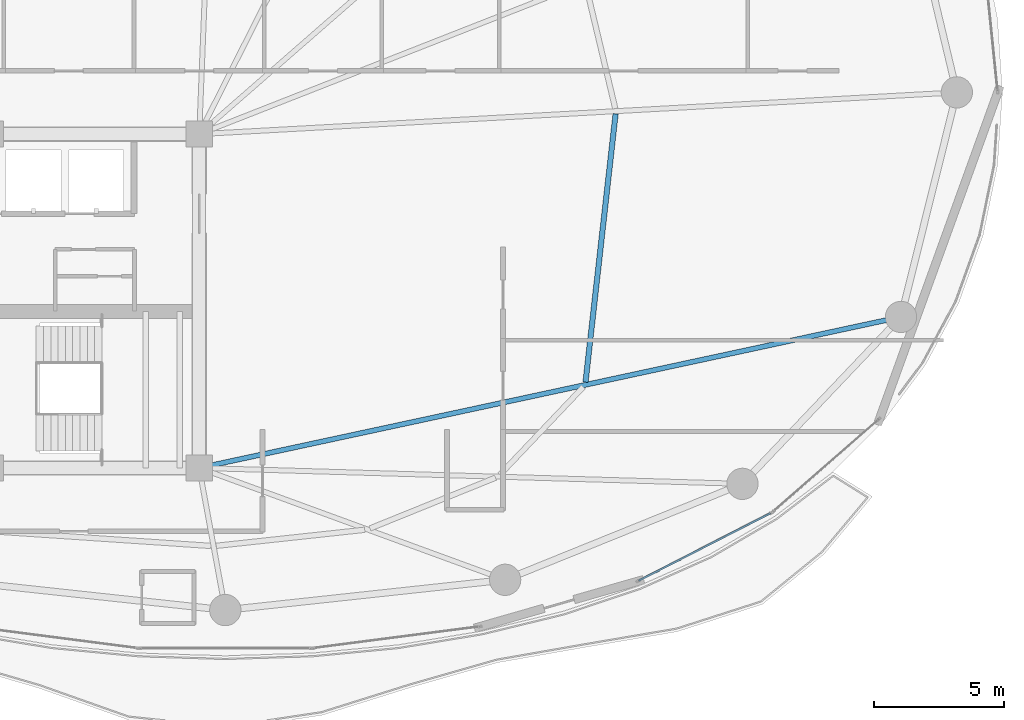
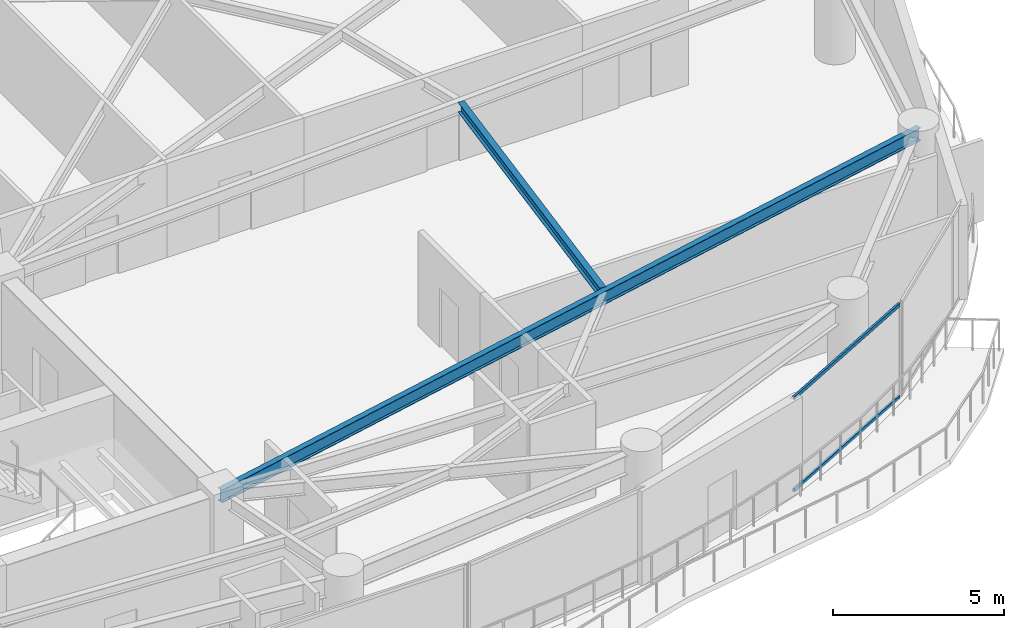
# One storey, part 12 of 30: 2 beams, 2 members, 1 element without a shape of its own.
"""IFC4 building model written with IfcOpenShell, lengths in metres."""

import ifcopenshell
import ifcopenshell.guid

model = None  # the IFC model being written
_history = None  # IfcOwnerHistory: only IFC2X3 demands one
_inside = {}  # id of a spatial element -> (the spatial element, [elements in it])
_under = {}  # id of a project, library or spatial element -> (it, [spatial elements below it])
_declared = {}  # id of a project -> (the project, [libraries it declares])
_typed = {}  # id of a type object -> (the type object, [elements of that type])
_made_of = {}  # id of a material, layer set ... -> (it, [elements and type objects made of it])


def new_model(schema):
    """Start an empty IFC model of exactly this schema.

    Asked for "IFC4X3", IfcOpenShell would pick the latest addendum, in which some entities
    have other attributes; the version numbers below select the first issue.
    IFC2X3 requires an IfcOwnerHistory on every rooted entity: one is made here for all.
    """
    global model, _history
    if schema == "IFC4X3":
        model = ifcopenshell.file(schema_version=(4, 3, 0, 0))
    else:
        model = ifcopenshell.file(schema=schema)
    _inside.clear()
    _under.clear()
    _declared.clear()
    _typed.clear()
    _made_of.clear()
    _history = None
    if model.schema == "IFC2X3":
        org = make("IfcOrganization", Name="unknown")
        user = make(
            "IfcPersonAndOrganization",
            ThePerson=make("IfcPerson", FamilyName="unknown"),
            TheOrganization=org,
        )
        app = make(
            "IfcApplication",
            ApplicationDeveloper=org,
            Version="unknown",
            ApplicationFullName="unknown",
            ApplicationIdentifier="unknown",
        )
        _history = make(
            "IfcOwnerHistory",
            OwningUser=user,
            OwningApplication=app,
            ChangeAction="ADDED",
            CreationDate=0,
        )
    return model


def make(cls, **values):
    """One entity of the class cls with the attributes given. An attribute that is None is left unset."""
    return model.create_entity(
        cls, **{name: value for name, value in values.items() if value is not None}
    )


def rooted(cls, **values):
    """An entity with a GlobalId (a new one), such as an element, a storey or a relation."""
    return make(cls, GlobalId=ifcopenshell.guid.new(), OwnerHistory=_history, **values)


def si_unit(unit_type, name, prefix=None):
    """IfcSIUnit, for example si_unit("LENGTHUNIT", "METRE", prefix="MILLI")."""
    return make("IfcSIUnit", UnitType=unit_type, Prefix=prefix, Name=name)


def assignment(units):
    """IfcUnitAssignment: the units of a project."""
    return None if units is None else make("IfcUnitAssignment", Units=units)


def point(xyz):
    """IfcCartesianPoint."""
    return None if xyz is None else make("IfcCartesianPoint", Coordinates=xyz)


def direction(xyz):
    """IfcDirection."""
    return None if xyz is None else make("IfcDirection", DirectionRatios=xyz)


def frame(location, z_axis=None, x_axis=None):
    """IfcAxis2Placement3D, a coordinate frame: its origin and axes. An axis left out is left unset."""
    return make(
        "IfcAxis2Placement3D",
        Location=point(location),
        Axis=direction(z_axis),
        RefDirection=direction(x_axis),
    )


def frame_2d(location, x_axis=None):
    """IfcAxis2Placement2D, a coordinate frame in the plane: its origin and x axis."""
    return make(
        "IfcAxis2Placement2D", Location=point(location), RefDirection=direction(x_axis)
    )


def origin():
    """The frame at (0, 0, 0) with its axes left unset."""
    return frame((0.0, 0.0, 0.0))


def origin_2d():
    """The frame at (0, 0) in the plane with its x axis left unset."""
    return frame_2d((0.0, 0.0))


def place(relative_to, where):
    """IfcLocalPlacement: puts the frame where relative to a parent placement (None: the world)."""
    return make(
        "IfcLocalPlacement", PlacementRelTo=relative_to, RelativePlacement=where
    )


def context(
    kind, dimensions, precision=None, world=None, true_north=None, identifier=None
):
    """IfcGeometricRepresentationContext, for example the 3D "Model" context."""
    return make(
        "IfcGeometricRepresentationContext",
        ContextIdentifier=identifier,
        ContextType=kind,
        CoordinateSpaceDimension=dimensions,
        Precision=precision,
        WorldCoordinateSystem=world,
        TrueNorth=true_north,
    )


def subcontext(parent, identifier, kind, view, scale=None):
    """IfcGeometricRepresentationSubContext, for example "Body" below "Model"."""
    return make(
        "IfcGeometricRepresentationSubContext",
        ContextIdentifier=identifier,
        ContextType=kind,
        ParentContext=parent,
        TargetScale=scale,
        TargetView=view,
    )


def project(units=None, contexts=None):
    """IfcProject with its units and contexts."""
    return rooted(
        "IfcProject",
        Name="project",
        RepresentationContexts=contexts,
        UnitsInContext=assignment(units),
    )


def spatial(cls, under=None, at=None, **own):
    """A site, building, storey or space (cls), placed at a placement, below another one or the project."""
    s = rooted(cls, ObjectPlacement=at, **own)
    if under is not None:
        _under.setdefault(under.id(), (under, []))[1].append(s)
    return s


def profile(cls, at=None, kind="AREA", **sizes):
    """A parametric profile (cls). Its sizes go by their IFC names, for example OverallWidth=200.0."""
    return make(cls, ProfileType=kind, Position=at, **sizes)


def hollow_rectangle(**sizes):
    """IfcRectangleHollowProfileDef."""
    return profile("IfcRectangleHollowProfileDef", **sizes)


def i_section(**sizes):
    """IfcIShapeProfileDef."""
    return profile("IfcIShapeProfileDef", **sizes)


def extrude(swept, where, along, depth):
    """IfcExtrudedAreaSolid: the profile swept, set in the frame where, extruded along a direction by depth."""
    return make(
        "IfcExtrudedAreaSolid",
        SweptArea=swept,
        Position=where,
        ExtrudedDirection=direction(along),
        Depth=depth,
    )


def shape(context_of_items, identifier, shape_type, items):
    """IfcShapeRepresentation: the items that make up one representation, for example the "Body"."""
    return make(
        "IfcShapeRepresentation",
        ContextOfItems=context_of_items,
        RepresentationIdentifier=identifier,
        RepresentationType=shape_type,
        Items=items,
    )


def material(Name=None, Category=None):
    """IfcMaterial."""
    return make("IfcMaterial", Name=Name, Category=Category)


def layer(
    of_material, thickness, ventilated=None, Name=None, Category=None, Priority=None
):
    """IfcMaterialLayer: one layer of a wall or slab, of a material (None: an air gap)."""
    return make(
        "IfcMaterialLayer",
        Material=of_material,
        LayerThickness=thickness,
        IsVentilated=ventilated,
        Name=Name,
        Category=Category,
        Priority=Priority,
    )


def layer_set(layers, Name=None):
    """IfcMaterialLayerSet."""
    return make("IfcMaterialLayerSet", MaterialLayers=layers, LayerSetName=Name)


def material_profile(
    of_material, cross_section, Name=None, Category=None, Priority=None
):
    """IfcMaterialProfile: a cross section and its material."""
    return make(
        "IfcMaterialProfile",
        Name=Name,
        Material=of_material,
        Profile=cross_section,
        Priority=Priority,
        Category=Category,
    )


def profile_set(profiles, Name=None, composite=None):
    """IfcMaterialProfileSet."""
    return make(
        "IfcMaterialProfileSet",
        Name=Name,
        MaterialProfiles=profiles,
        CompositeProfile=composite,
    )


def made_of(thing, what):
    """Note that an element or type object is made of a material, layer set ...; save() writes the relation."""
    if what is not None:
        _made_of.setdefault(what.id(), (what, []))[1].append(thing)
    return thing


def type_object(cls, material=None, **own):
    """A type object (cls), such as IfcWallType, which elements share."""
    return made_of(rooted(cls, **own), material)


def element(
    cls,
    number,
    at=None,
    inside=None,
    cuts=None,
    type_object=None,
    material=None,
    context=None,
    identifier="Body",
    shape_type=None,
    held_by="IfcProductDefinitionShape",
    body=None,
    shapes=None,
    **own,
):
    """One element of the class cls, such as IfcWall. Its Tag is "e" and its number.

    at: its placement. inside: the storey or other place that contains it. cuts: it is an
    opening in that element (IfcRelVoidsElement). A single representation is given by context,
    identifier, shape_type and body (its items); several are given by shapes. held_by: the class
    of the entity that holds the representations. save() writes the other relations.
    """
    e = rooted(cls, Tag="e%d" % number, ObjectPlacement=at, **own)
    if body is not None:
        shapes = [shape(context, identifier, shape_type, body)]
    if shapes is not None:
        e.Representation = make(held_by, Representations=shapes)
    if inside is not None:
        _inside.setdefault(inside.id(), (inside, []))[1].append(e)
    if cuts is not None:
        rooted(
            "IfcRelVoidsElement", RelatingBuildingElement=cuts, RelatedOpeningElement=e
        )
    if type_object is not None:
        _typed.setdefault(type_object.id(), (type_object, []))[1].append(e)
    return made_of(e, material)


def aggregate(whole, parts):
    """IfcRelAggregates: a whole, such as a stair, and the parts it consists of."""
    return rooted("IfcRelAggregates", RelatingObject=whole, RelatedObjects=parts)


def save(model, path):
    """Write the relations noted so far, then the file.

    IfcRelAggregates (storeys below a building ...), IfcRelContainedInSpatialStructure (elements
    in a storey), IfcRelDefinesByType, IfcRelAssociatesMaterial and IfcRelDeclares: one each for
    every whole, place, type object, material and project.
    """
    for whole, parts in _under.values():
        aggregate(whole, parts)
    for where, things in _inside.values():
        rooted(
            "IfcRelContainedInSpatialStructure",
            RelatedElements=things,
            RelatingStructure=where,
        )
    for kind, things in _typed.values():
        rooted("IfcRelDefinesByType", RelatedObjects=things, RelatingType=kind)
    for what, things in _made_of.values():
        rooted("IfcRelAssociatesMaterial", RelatedObjects=things, RelatingMaterial=what)
    for by, libraries in _declared.values():
        rooted("IfcRelDeclares", RelatingContext=by, RelatedDefinitions=libraries)
    model.write(path)


model = new_model("IFC4")

# Units and contexts
model_context = context("Model", 3, precision=1e-05, world=origin(), true_north=direction((0.0, 1.0)))
body_context = subcontext(model_context, "Body", "Model", "MODEL_VIEW")
ifc_project = project(units=[si_unit("LENGTHUNIT", "METRE"), si_unit("AREAUNIT", "SQUARE_METRE"), si_unit("VOLUMEUNIT", "CUBIC_METRE"), si_unit("PLANEANGLEUNIT", "RADIAN"), si_unit("MASSUNIT", "GRAM", prefix="KILO")], contexts=[model_context])

# Site, building, storey
site_placement = place(None, origin())
site = spatial("IfcSite", under=ifc_project, at=site_placement, CompositionType="ELEMENT")
building_placement = place(site_placement, origin())
building = spatial("IfcBuilding", under=site, at=building_placement, Name="Kazevale Care Tower and Concert Hall", CompositionType="ELEMENT")
storey_placement = place(building_placement, frame((0.0, 0.0, 113.39990234375)))
storey = spatial("IfcBuildingStorey", under=building, at=storey_placement, Name="L29", CompositionType="ELEMENT", Elevation=113.39990234375)

# Curtain wall, members
ifc_material_1 = material(Name="Aluminium 6063-T6 and Low-E Glass", Category="aluminium")
ifc_layer = layer(ifc_material_1, 0.179931640625)
ifc_layer_set = layer_set([ifc_layer], Name="Aluminium 6063-T6 and Low-E Glass")
curtain_wall_type = type_object("IfcCurtainWallType", Name="Sheltered Concave Balcony Curtain Wall CW-5", PredefinedType="NOTDEFINED", material=ifc_layer_set)
curtain_wall_placement = place(storey_placement, origin())
curtain_wall = element("IfcCurtainWall", 1, at=curtain_wall_placement, inside=storey, type_object=curtain_wall_type, Name="cw:L29:f03", PredefinedType="NOTDEFINED")
ifc_material_2 = material(Name="Aluminium 6063-T6", Category="aluminium")
ifc_material_profile_1 = material_profile(ifc_material_2, hollow_rectangle(XDim=0.074951171875, YDim=0.1201171875, WallThickness=0.00390625, at=origin_2d()), Name="ALU75x120x4")
ifc_profile_set_1 = profile_set([ifc_material_profile_1], Name="Aluminium 6063-T6")
member_type = type_object("IfcMemberType", Name="CW-5 Transom ALU75x120x4", PredefinedType="USERDEFINED", material=ifc_profile_set_1)
member_1_placement = place(storey_placement, frame((65.904296875, 21.86376953125, 0.03759765625), z_axis=(-0.890142600475, -0.455682072084, 0.0), x_axis=(0.455682072084, -0.890142600475, 0.0)))
member_1 = element("IfcMember", 2, at=member_1_placement, type_object=member_type, Name="CW-5 transom 1.1", ObjectType="TRANSOM", PredefinedType="USERDEFINED", context=body_context, shape_type="SweptSolid", body=[
    extrude(hollow_rectangle(XDim=0.074951171875, YDim=0.1201171875, WallThickness=0.00390625, at=origin_2d()), origin(), (0.0, 0.0, 1.0), 5.671630859375),
])
member_2_placement = place(storey_placement, frame((65.904296875, 21.86376953125, 3.322509765625), z_axis=(-0.890142600475, -0.455682072084, 0.0), x_axis=(0.455682072084, -0.890142600475, 0.0)))
member_2 = element("IfcMember", 3, at=member_2_placement, type_object=member_type, Name="CW-5 transom 1.2", ObjectType="TRANSOM", PredefinedType="USERDEFINED", context=body_context, shape_type="SweptSolid", body=[
    extrude(hollow_rectangle(XDim=0.074951171875, YDim=0.1201171875, WallThickness=0.00390625, at=origin_2d()), origin(), (0.0, 0.0, 1.0), 5.671630859375),
])
aggregate(curtain_wall, [member_1, member_2])

# Beams
ifc_material_3 = material(Name="Steel ASTM A572 Gr 50", Category="steel")
ifc_material_profile_2 = material_profile(ifc_material_3, i_section(OverallWidth=0.19091796875, OverallDepth=0.4599609375, WebThickness=0.010009765625, FlangeThickness=0.01611328125, at=origin_2d()), Name="W460x82")
ifc_profile_set_2 = profile_set([ifc_material_profile_2], Name="Steel ASTM A572 Gr 50")
beam_type_1 = type_object("IfcBeamType", Name="Radial Floor Beam W460x82", PredefinedType="BEAM", material=ifc_profile_set_2)
beam_1_placement = place(storey_placement, frame((44.0, 23.60009765625, 3.130126953125), z_axis=(0.97762801725, 0.210341293823, 0.0), x_axis=(-0.210341293823, 0.97762801725, 0.0)))
element("IfcBeam", 4, at=beam_1_placement, inside=storey, type_object=beam_type_1, Name="beam:L29:rad:16", PredefinedType="BEAM", context=body_context, shape_type="SweptSolid", body=[
    extrude(i_section(OverallWidth=0.19091796875, OverallDepth=0.4599609375, WebThickness=0.010009765625, FlangeThickness=0.01611328125, at=origin_2d()), origin(), (0.0, 0.0, 1.0), 27.525634765625),
])
ifc_material_profile_3 = material_profile(ifc_material_3, i_section(OverallWidth=0.205078125, OverallDepth=0.35400390625, WebThickness=0.009521484375, FlangeThickness=0.016845703125, at=origin_2d()), Name="W360x79")
ifc_profile_set_3 = profile_set([ifc_material_profile_3], Name="Steel ASTM A572 Gr 50")
beam_type_2 = type_object("IfcBeamType", Name="Secondary Floor Joist W360x79", PredefinedType="JOIST", material=ifc_profile_set_3)
beam_2_placement = place(storey_placement, frame((58.81201171875, 26.888916015625, 3.18310546875), z_axis=(0.111485011105, 0.993766115491, 0.0), x_axis=(-0.993766115491, 0.111485011105, 0.0)))
element("IfcBeam", 5, at=beam_2_placement, inside=storey, type_object=beam_type_2, Name="beam:L29:joist:16", PredefinedType="JOIST", context=body_context, shape_type="SweptSolid", body=[
    extrude(i_section(OverallWidth=0.205078125, OverallDepth=0.35400390625, WebThickness=0.009521484375, FlangeThickness=0.016845703125, at=origin_2d()), origin(), (0.0, 0.0, 1.0), 10.3515625),
])

save(model, "model.ifc")
